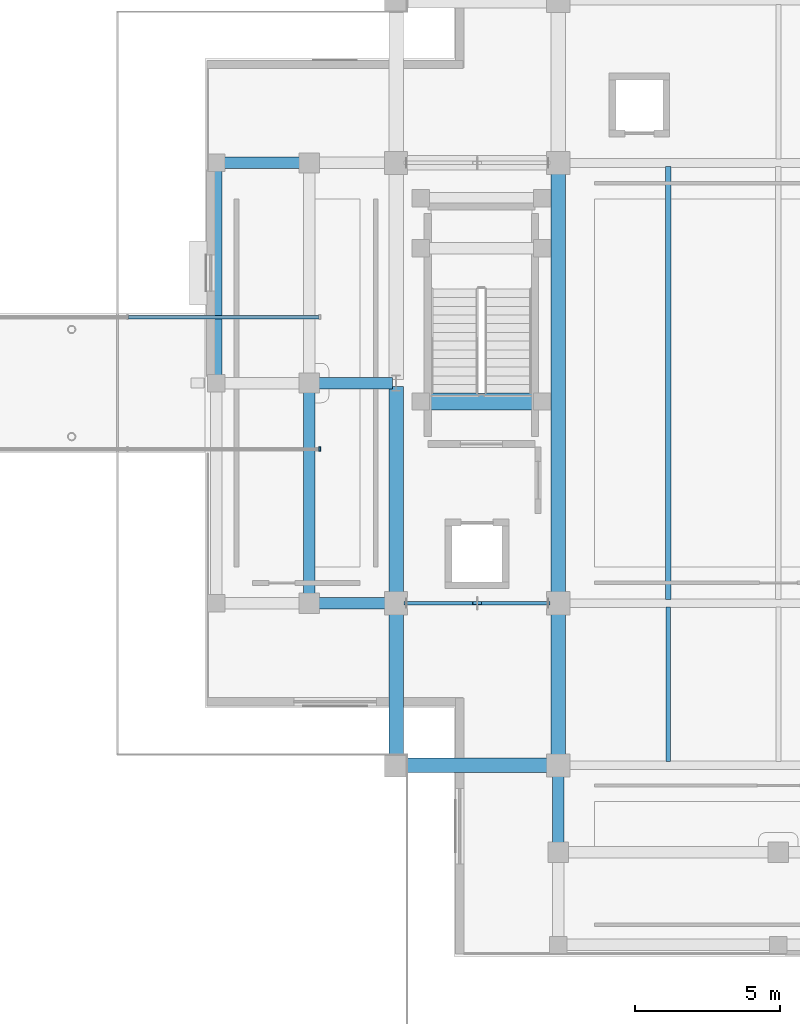
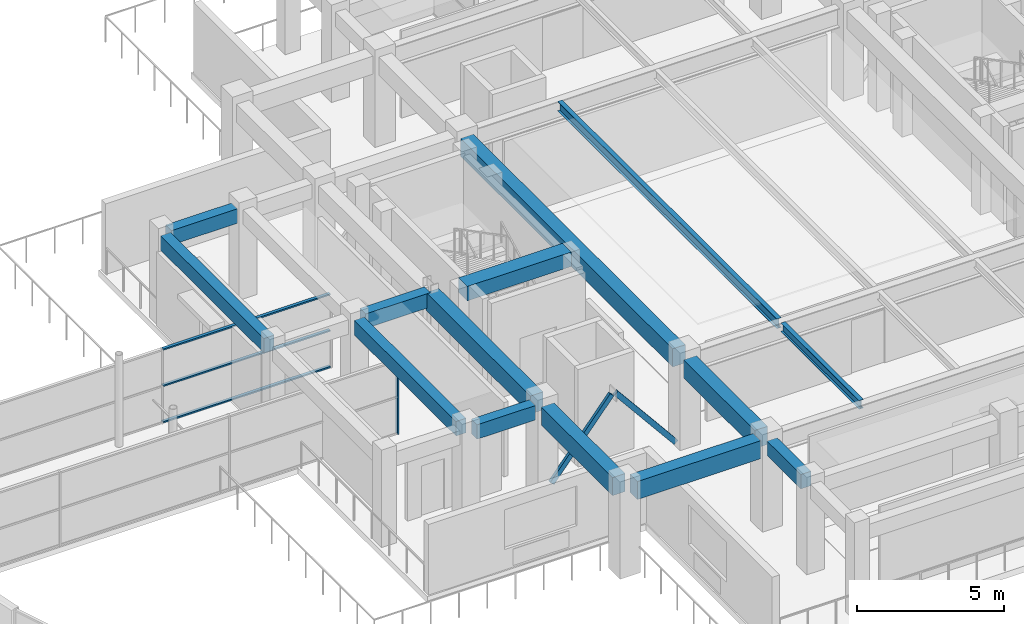
# One storey, part 20 of 72: 14 beams, 6 members, 2 elements without a shape of their own.
"""IFC4 building model written with IfcOpenShell, lengths in metres."""

from ifc_helpers import new_model, si_unit, direction, frame, origin, origin_2d, place, context, subcontext, project, spatial, rectangle, hollow_rectangle, i_section, extrude, material, material_profile, profile_set, type_object, element, aggregate, save


model = new_model("IFC4")

# Units and contexts
model_context = context("Model", 3, precision=1e-05, world=origin(), true_north=direction((0.0, 1.0)))
body_context = subcontext(model_context, "Body", "Model", "MODEL_VIEW")
ifc_project = project(units=[si_unit("LENGTHUNIT", "METRE"), si_unit("AREAUNIT", "SQUARE_METRE"), si_unit("VOLUMEUNIT", "CUBIC_METRE"), si_unit("PLANEANGLEUNIT", "RADIAN"), si_unit("MASSUNIT", "GRAM", prefix="KILO")], contexts=[model_context])

# Site, building, storey
site_placement = place(None, origin())
site = spatial("IfcSite", under=ifc_project, at=site_placement, CompositionType="ELEMENT")
building_placement = place(site_placement, origin())
building = spatial("IfcBuilding", under=site, at=building_placement, Name="Saryqyr Civic Hall", CompositionType="ELEMENT")
storey_placement = place(building_placement, frame((0.0, 0.0, 17.25)))
storey = spatial("IfcBuildingStorey", under=building, at=storey_placement, Name="L04", CompositionType="ELEMENT", Elevation=17.25)

# Curtain wall, member
ifc_material_1 = material(Name="Anodised aluminium and triple low-E glass", Category="aluminium")
curtain_wall_type = type_object("IfcCurtainWallType", Name="ENV-CW-STD-86", PredefinedType="NOTDEFINED", material=ifc_material_1)
curtain_wall_1_placement = place(storey_placement, origin())
curtain_wall_1 = element("IfcCurtainWall", 1, at=curtain_wall_1_placement, inside=storey, type_object=curtain_wall_type, Name="Curtain wall BR-CW-CW1-L04", PredefinedType="NOTDEFINED")
ifc_material_2 = material(Name="Anodised aluminium", Category="aluminium")
ifc_material_profile_1 = material_profile(ifc_material_2, rectangle(XDim=0.06005859375, YDim=0.159912109375, at=origin_2d()), Name="ALU MULLION 60x160")
ifc_profile_set_1 = profile_set([ifc_material_profile_1], Name="Anodised aluminium")
member_type_1 = type_object("IfcMemberType", Name="ENV-CW-MUL-180", PredefinedType="MULLION", material=ifc_profile_set_1)
member_1_placement = place(storey_placement, frame((41.169921875, 81.719970703125, 0.0), z_axis=(0.0, 0.0, 1.0), x_axis=(-1.0, 0.0, 0.0)))
member_1 = element("IfcMember", 2, at=member_1_placement, type_object=member_type_1, Name="CW-86 mullion 1", PredefinedType="MULLION", context=body_context, shape_type="SweptSolid", body=[
    extrude(rectangle(XDim=0.06005859375, YDim=0.159912109375, at=origin_2d()), origin(), (0.0, 0.0, 1.0), 3.0849609375),
])
aggregate(curtain_wall_1, [member_1])

# Curtain wall, members
curtain_wall_2_placement = place(storey_placement, origin())
curtain_wall_2 = element("IfcCurtainWall", 3, at=curtain_wall_2_placement, inside=storey, type_object=curtain_wall_type, Name="Curtain wall BR-CW-CW2-L04", PredefinedType="NOTDEFINED")
ifc_material_profile_2 = material_profile(ifc_material_2, rectangle(XDim=0.1201171875, YDim=0.06005859375, at=origin_2d()), Name="ALU TRANSOM 120x60")
ifc_profile_set_2 = profile_set([ifc_material_profile_2], Name="Anodised aluminium")
member_type_2 = type_object("IfcMemberType", Name="ENV-CW-TRN-150", PredefinedType="USERDEFINED", material=ifc_profile_set_2)
member_2_placement = place(storey_placement, frame((34.563232421875, 86.280029296875, 0.030029296875), z_axis=(1.0, 0.0, 0.0), x_axis=(0.0, 1.0, 0.0)))
member_2 = element("IfcMember", 4, at=member_2_placement, type_object=member_type_2, Name="CW-86 transom 3.1", ObjectType="TRANSOM", PredefinedType="USERDEFINED", context=body_context, shape_type="SweptSolid", body=[
    extrude(rectangle(XDim=0.1201171875, YDim=0.06005859375, at=origin_2d()), origin(), (0.0, 0.0, 1.0), 6.57666015625),
])
member_3_placement = place(storey_placement, frame((34.563232421875, 86.280029296875, 1.54296875), z_axis=(1.0, 0.0, 0.0), x_axis=(0.0, 1.0, 0.0)))
member_3 = element("IfcMember", 5, at=member_3_placement, type_object=member_type_2, Name="CW-86 transom 3.2", ObjectType="TRANSOM", PredefinedType="USERDEFINED", context=body_context, shape_type="SweptSolid", body=[
    extrude(rectangle(XDim=0.1201171875, YDim=0.06005859375, at=origin_2d()), origin(), (0.0, 0.0, 1.0), 6.57666015625),
])
member_4_placement = place(storey_placement, frame((34.563232421875, 86.280029296875, 3.054931640625), z_axis=(1.0, 0.0, 0.0), x_axis=(0.0, 1.0, 0.0)))
member_4 = element("IfcMember", 6, at=member_4_placement, type_object=member_type_2, Name="CW-86 transom 3.3", ObjectType="TRANSOM", PredefinedType="USERDEFINED", context=body_context, shape_type="SweptSolid", body=[
    extrude(rectangle(XDim=0.1201171875, YDim=0.06005859375, at=origin_2d()), origin(), (0.0, 0.0, 1.0), 6.57666015625),
])
aggregate(curtain_wall_2, [member_2, member_3, member_4])

# Beams
ifc_material_3 = material(Name="Concrete C35/45", Category="concrete")
ifc_material_profile_3 = material_profile(ifc_material_3, rectangle(XDim=0.39990234375, YDim=0.60009765625, at=origin_2d()), Name="RC 400x600")
ifc_profile_set_3 = profile_set([ifc_material_profile_3], Name="Concrete C35/45")
beam_type_1 = type_object("IfcBeamType", Name="STR-BM-RC400x600", PredefinedType="BEAM", material=ifc_profile_set_3)
beam_1_placement = place(storey_placement, frame((41.125, 76.39990234375, 3.409912109375), z_axis=(1.0, 0.0, 0.0), x_axis=(0.0, 1.0, 0.0)))
element("IfcBeam", 7, at=beam_1_placement, inside=storey, type_object=beam_type_1, Name="Beam V1-TBM-01-L04", PredefinedType="BEAM", context=body_context, shape_type="SweptSolid", body=[
    extrude(rectangle(XDim=0.39990234375, YDim=0.60009765625, at=origin_2d()), origin(), (0.0, 0.0, 1.0), 2.300048828125),
])
beam_2_placement = place(storey_placement, frame((41.125, 84.0, 3.409912109375), z_axis=(1.0, 0.0, 0.0), x_axis=(0.0, 1.0, 0.0)))
element("IfcBeam", 8, at=beam_2_placement, inside=storey, type_object=beam_type_1, Name="Beam V1-TBM-02-L04", PredefinedType="BEAM", context=body_context, shape_type="SweptSolid", body=[
    extrude(rectangle(XDim=0.39990234375, YDim=0.60009765625, at=origin_2d()), origin(), (0.0, 0.0, 1.0), 2.550048828125),
])
beam_3_placement = place(storey_placement, frame((49.39990234375, 68.125, 3.409912109375), z_axis=(0.0, 1.0, 0.0), x_axis=(-1.0, 0.0, 0.0)))
element("IfcBeam", 9, at=beam_3_placement, inside=storey, type_object=beam_type_1, Name="Beam V1-TBM-07-L04", PredefinedType="BEAM", context=body_context, shape_type="SweptSolid", body=[
    extrude(rectangle(XDim=0.39990234375, YDim=0.60009765625, at=origin_2d()), origin(), (0.0, 0.0, 1.0), 2.300048828125),
])
beam_4_placement = place(storey_placement, frame((40.800048828125, 76.72509765625, 3.409912109375), z_axis=(0.0, 1.0, 0.0), x_axis=(-1.0, 0.0, 0.0)))
element("IfcBeam", 10, at=beam_4_placement, inside=storey, type_object=beam_type_1, Name="Beam V1-TBM-11-L04", PredefinedType="BEAM", context=body_context, shape_type="SweptSolid", body=[
    extrude(rectangle(XDim=0.39990234375, YDim=0.60009765625, at=origin_2d()), origin(), (0.0, 0.0, 1.0), 6.949951171875),
])
beam_5_placement = place(storey_placement, frame((37.875, 91.60009765625, 3.409912109375), z_axis=(1.0, 0.0, 0.0), x_axis=(0.0, 1.0, 0.0)))
element("IfcBeam", 11, at=beam_5_placement, inside=storey, type_object=beam_type_1, Name="Beam V1-TBM-21-L04", PredefinedType="BEAM", context=body_context, shape_type="SweptSolid", body=[
    extrude(rectangle(XDim=0.39990234375, YDim=0.60009765625, at=origin_2d()), origin(), (0.0, 0.0, 1.0), 2.60009765625),
])
beam_6_placement = place(storey_placement, frame((37.60009765625, 84.27490234375, 3.409912109375), z_axis=(0.0, 1.0, 0.0), x_axis=(-1.0, 0.0, 0.0)))
element("IfcBeam", 12, at=beam_6_placement, inside=storey, type_object=beam_type_1, Name="Beam V1-TBM-30-L04", PredefinedType="BEAM", context=body_context, shape_type="SweptSolid", body=[
    extrude(rectangle(XDim=0.39990234375, YDim=0.60009765625, at=origin_2d()), origin(), (0.0, 0.0, 1.0), 7.050048828125),
])
ifc_material_4 = material(Name="Concrete C40/50", Category="concrete")
ifc_material_profile_4 = material_profile(ifc_material_4, rectangle(XDim=0.5, YDim=0.75, at=origin_2d()), Name="RC 500x750")
ifc_profile_set_4 = profile_set([ifc_material_profile_4], Name="Concrete C40/50")
beam_type_2 = type_object("IfcBeamType", Name="STR-BM-RC500x750", PredefinedType="BEAM", material=ifc_profile_set_4)
for number, where, z_axis, x_axis, name in (
    (13, (44.175048828125, 70.800048828125, 3.3349609375), (1.0, 0.0, 0.0), (0.0, 1.0, 0.0), "Beam V1-WBM-W1-L04"),
    (14, (43.800048828125, 71.175048828125, 3.3349609375), (0.0, 1.0, 0.0), (-1.0, 0.0, 0.0), "Beam V1-BM-NS11-L04"),
):
    element("IfcBeam", number, at=place(storey_placement, frame(where, z_axis=z_axis, x_axis=x_axis)), inside=storey, type_object=beam_type_2, Name=name, PredefinedType="BEAM", context=body_context, shape_type="SweptSolid", body=[
        extrude(rectangle(XDim=0.5, YDim=0.75, at=origin_2d()), origin(), (0.0, 0.0, 1.0), 4.849853515625),
    ])
beam_7_placement = place(storey_placement, frame((43.800048828125, 76.77490234375, 3.3349609375), z_axis=(0.0, 1.0, 0.0), x_axis=(-1.0, 0.0, 0.0)))
element("IfcBeam", 15, at=beam_7_placement, inside=storey, type_object=beam_type_2, Name="Beam V1-BM-NS1A-L04", PredefinedType="BEAM", context=body_context, shape_type="SweptSolid", body=[
    extrude(rectangle(XDim=0.5, YDim=0.75, at=origin_2d()), origin(), (0.0, 0.0, 1.0), 7.10009765625),
])
beam_8_placement = place(storey_placement, frame((49.39990234375, 71.175048828125, 3.3349609375), z_axis=(0.0, 1.0, 0.0), x_axis=(-1.0, 0.0, 0.0)))
element("IfcBeam", 16, at=beam_8_placement, inside=storey, type_object=beam_type_2, Name="Beam V1-BM-NS21-L04", PredefinedType="BEAM", context=body_context, shape_type="SweptSolid", body=[
    extrude(rectangle(XDim=0.5, YDim=0.75, at=origin_2d()), origin(), (0.0, 0.0, 1.0), 4.849853515625),
])
beam_9_placement = place(storey_placement, frame((49.39990234375, 76.77490234375, 3.3349609375), z_axis=(0.0, 1.0, 0.0), x_axis=(-1.0, 0.0, 0.0)))
element("IfcBeam", 17, at=beam_9_placement, inside=storey, type_object=beam_type_2, Name="Beam V1-BM-NS22-L04", PredefinedType="BEAM", context=body_context, shape_type="SweptSolid", body=[
    extrude(rectangle(XDim=0.5, YDim=0.75, at=origin_2d()), origin(), (0.0, 0.0, 1.0), 14.4501953125),
])
ifc_material_profile_5 = material_profile(ifc_material_4, rectangle(XDim=0.60009765625, YDim=0.60009765625, at=origin_2d()), Name="RC 600x600")
ifc_profile_set_5 = profile_set([ifc_material_profile_5], Name="Concrete C40/50")
beam_type_3 = type_object("IfcBeamType", Name="STR-BM-RC600x600", PredefinedType="BEAM", material=ifc_profile_set_5)
beam_10_placement = place(storey_placement, frame((48.800048828125, 83.364990234375, 3.75), z_axis=(-1.0, 0.0, 0.0), x_axis=(0.0, -1.0, 0.0)))
element("IfcBeam", 18, at=beam_10_placement, inside=storey, type_object=beam_type_3, Name="Stair well trimmer beam ST-1-L05", PredefinedType="BEAM", context=body_context, shape_type="SweptSolid", body=[
    extrude(rectangle(XDim=0.60009765625, YDim=0.60009765625, at=origin_2d()), origin(), (0.0, 0.0, 1.0), 4.10009765625),
])

# Members
ifc_material_5 = material(Name="Steel S355", Category="steel")
ifc_material_profile_6 = material_profile(ifc_material_5, hollow_rectangle(XDim=0.1201171875, YDim=0.199951171875, WallThickness=0.010009765625, at=origin_2d()), Name="RHS 200x120x10")
ifc_profile_set_6 = profile_set([ifc_material_profile_6], Name="Steel S355")
member_type_3 = type_object("IfcMemberType", Name="STR-BR-RHS200", PredefinedType="BRACE", material=ifc_profile_set_6)
for number, where, z_axis, x_axis, name in (
    (19, (44.159912109375, 76.39990234375, 0.1201171875), (0.635175090528, 0.0, 0.772368179286), (0.0, 1.0, 0.0), "Seismic chevron brace 1A L04"),
    (20, (49.0400390625, 76.39990234375, 0.1201171875), (-0.635175090528, 0.0, 0.772368179286), (0.0, -1.0, 0.0), "Seismic chevron brace 1B L04"),
):
    element("IfcMember", number, at=place(storey_placement, frame(where, z_axis=z_axis, x_axis=x_axis)), inside=storey, type_object=member_type_3, Name=name, PredefinedType="BRACE", context=body_context, shape_type="SweptSolid", body=[
        extrude(hollow_rectangle(XDim=0.1201171875, YDim=0.199951171875, WallThickness=0.010009765625, at=origin_2d()), origin(), (0.0, 0.0, 1.0), 3.715576171875),
    ])

# Beams
ifc_material_profile_7 = material_profile(ifc_material_5, i_section(OverallWidth=0.169921875, OverallDepth=0.360107421875, WebThickness=0.008056640625, FlangeThickness=0.0126953125, at=origin_2d()), Name="IPE 360")
ifc_profile_set_7 = profile_set([ifc_material_profile_7], Name="Steel S355")
beam_type_4 = type_object("IfcBeamType", Name="STR-JST-IPE360", PredefinedType="JOIST", material=ifc_profile_set_7)
beam_11_placement = place(storey_placement, frame((53.199951171875, 70.929931640625, 3.530029296875), z_axis=(0.0, 1.0, 0.0), x_axis=(-1.0, 0.0, 0.0)))
element("IfcBeam", 21, at=beam_11_placement, inside=storey, type_object=beam_type_4, Name="Beam V1-JST-1-1-L04", PredefinedType="JOIST", context=body_context, shape_type="SweptSolid", body=[
    extrude(i_section(OverallWidth=0.169921875, OverallDepth=0.360107421875, WebThickness=0.008056640625, FlangeThickness=0.0126953125, at=origin_2d()), origin(), (0.0, 0.0, 1.0), 5.340087890625),
])
ifc_material_profile_8 = material_profile(ifc_material_5, i_section(OverallWidth=0.179931640625, OverallDepth=0.39990234375, WebThickness=0.008544921875, FlangeThickness=0.013427734375, at=origin_2d()), Name="IPE 400")
ifc_profile_set_8 = profile_set([ifc_material_profile_8], Name="Steel S355")
beam_type_5 = type_object("IfcBeamType", Name="STR-JST-IPE400", PredefinedType="JOIST", material=ifc_profile_set_8)
beam_12_placement = place(storey_placement, frame((53.199951171875, 76.530029296875, 3.510009765625), z_axis=(0.0, 1.0, 0.0), x_axis=(-1.0, 0.0, 0.0)))
element("IfcBeam", 22, at=beam_12_placement, inside=storey, type_object=beam_type_5, Name="Beam V1-JST-1-2-L04", PredefinedType="JOIST", context=body_context, shape_type="SweptSolid", body=[
    extrude(i_section(OverallWidth=0.179931640625, OverallDepth=0.39990234375, WebThickness=0.008544921875, FlangeThickness=0.013427734375, at=origin_2d()), origin(), (0.0, 0.0, 1.0), 14.93994140625),
])

save(model, "model.ifc")
